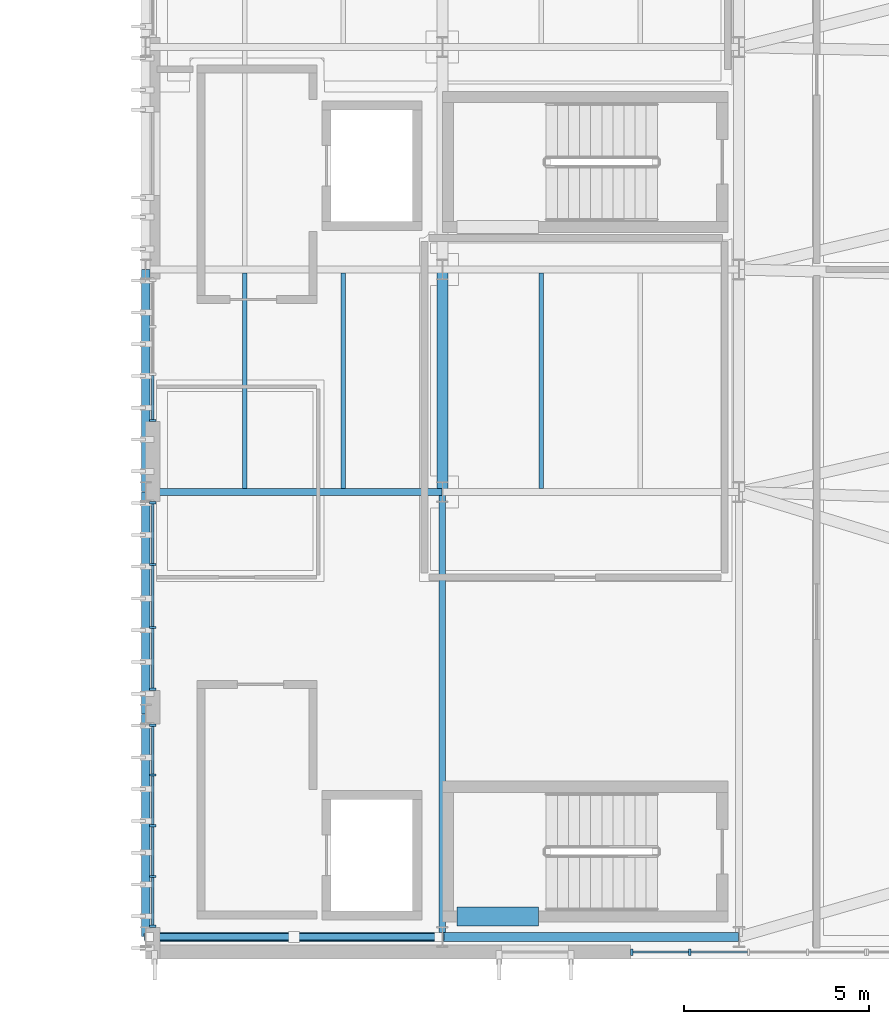
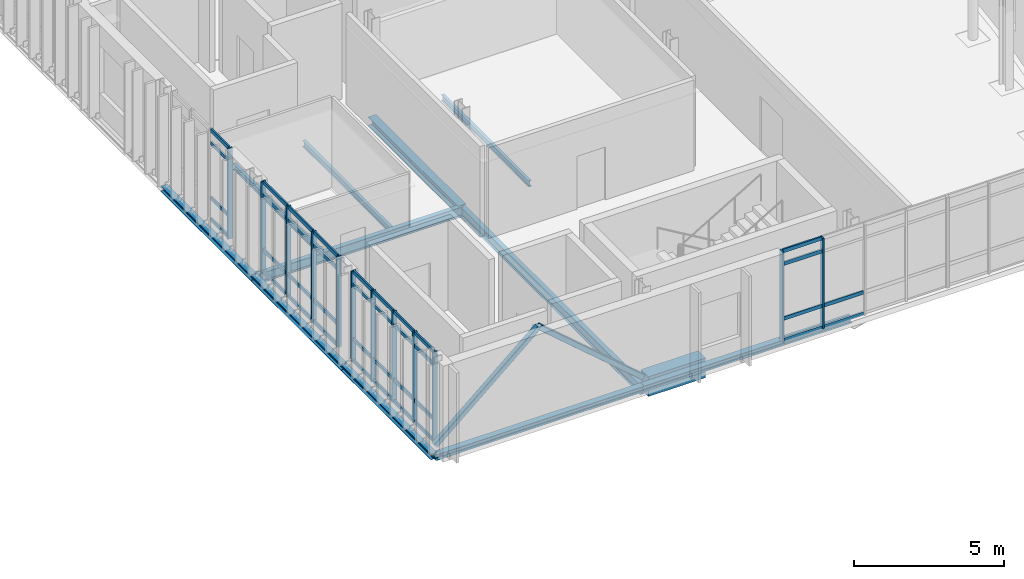
# One storey, part 12 of 43: 52 members, 12 beams, 4 elements without a shape of their own.
"""IFC4 building model written with IfcOpenShell, lengths in metres."""

from ifc_helpers import new_model, si_unit, direction, frame, origin, origin_2d, place, context, subcontext, project, spatial, rectangle, hollow_rectangle, i_section, extrude, material, material_profile, profile_set, type_object, element, aggregate, save


model = new_model("IFC4")

# Units and contexts
model_context = context("Model", 3, precision=1e-05, world=origin(), true_north=direction((0.0, 1.0)))
body_context = subcontext(model_context, "Body", "Model", "MODEL_VIEW")
ifc_project = project(units=[si_unit("LENGTHUNIT", "METRE"), si_unit("AREAUNIT", "SQUARE_METRE"), si_unit("VOLUMEUNIT", "CUBIC_METRE"), si_unit("PLANEANGLEUNIT", "RADIAN"), si_unit("MASSUNIT", "GRAM", prefix="KILO")], contexts=[model_context])

# Site, building, storey
site_placement = place(None, origin())
site = spatial("IfcSite", under=ifc_project, at=site_placement, CompositionType="ELEMENT")
building_placement = place(site_placement, origin())
building = spatial("IfcBuilding", under=site, at=building_placement, Name="Cymarion Research Institute", CompositionType="ELEMENT")
storey_placement = place(building_placement, frame((0.0, 0.0, 22.800048828125)))
storey = spatial("IfcBuildingStorey", under=building, at=storey_placement, Name="L05", CompositionType="ELEMENT", Elevation=22.800048828125)

# Beam
ifc_material_1 = material(Name="Concrete C40/50", Category="concrete")
ifc_material_profile_1 = material_profile(ifc_material_1, rectangle(XDim=0.5, YDim=0.800048828125, at=origin_2d()), Name="RC 500x800")
ifc_profile_set_1 = profile_set([ifc_material_profile_1], Name="Concrete C40/50")
beam_type_1 = type_object("IfcBeamType", Name="COUPLING LINTEL LN03 RC 500x800", PredefinedType="LINTEL", material=ifc_profile_set_1)
beam_1_placement = place(storey_placement, frame((147.0, 6.050048828125, -0.64013671875), z_axis=(1.0, 0.0, 0.0), x_axis=(0.0, 1.0, 0.0)))
element("IfcBeam", 1, at=beam_1_placement, inside=storey, type_object=beam_type_1, Name="L05 C1 core coupling lintel LN03", PredefinedType="LINTEL", context=body_context, shape_type="SweptSolid", body=[
    extrude(rectangle(XDim=0.5, YDim=0.800048828125, at=origin_2d()), origin(), (0.0, 0.0, 1.0), 2.199951171875),
])

# Curtain wall, members
ifc_material_2 = material(Name="Anodised aluminium unitised curtain wall with Low-E glazing", Category="aluminium")
curtain_wall_type_1 = type_object("IfcCurtainWallType", Name="UNITISED CURTAIN WALL CW46 6360X3680", PredefinedType="NOTDEFINED", material=ifc_material_2)
curtain_wall_1_placement = place(storey_placement, origin())
curtain_wall_1 = element("IfcCurtainWall", 2, at=curtain_wall_1_placement, inside=storey, type_object=curtain_wall_type_1, Name="L05 V1 unitised curtain wall CW46 #200", PredefinedType="NOTDEFINED")
ifc_material_3 = material(Name="Anodised aluminium framing", Category="aluminium")
ifc_material_profile_2 = material_profile(ifc_material_3, rectangle(XDim=0.06005859375, YDim=0.179931640625, at=origin_2d()), Name="ALU MULLION 60x180")
ifc_profile_set_2 = profile_set([ifc_material_profile_2], Name="Anodised aluminium framing")
member_type_1 = type_object("IfcMemberType", Name="CURTAIN WALL MULLION ML01 60X180", PredefinedType="MULLION", material=ifc_profile_set_2)
member_1_placement = place(storey_placement, frame((151.7109375, 5.090087890625, 0.0), z_axis=(0.0, 0.0, 1.0), x_axis=(1.0, 0.0, 0.0)))
member_1 = element("IfcMember", 3, at=member_1_placement, type_object=member_type_1, Name="CW46 mullion 1", PredefinedType="MULLION", context=body_context, shape_type="SweptSolid", body=[
    extrude(rectangle(XDim=0.06005859375, YDim=0.179931640625, at=origin_2d()), origin(), (0.0, 0.0, 1.0), 3.679931640625),
])
member_2_placement = place(storey_placement, frame((153.27099609375, 5.090087890625, 0.0), z_axis=(0.0, 0.0, 1.0), x_axis=(1.0, 0.0, 0.0)))
member_2 = element("IfcMember", 4, at=member_2_placement, type_object=member_type_1, Name="CW46 mullion 2", PredefinedType="MULLION", context=body_context, shape_type="SweptSolid", body=[
    extrude(rectangle(XDim=0.06005859375, YDim=0.179931640625, at=origin_2d()), origin(), (0.0, 0.0, 1.0), 3.679931640625),
])

# Curtain wall, member
curtain_wall_type_2 = type_object("IfcCurtainWallType", Name="UNITISED CURTAIN WALL CW52 3850X3680", PredefinedType="NOTDEFINED", material=ifc_material_2)
curtain_wall_2_placement = place(storey_placement, origin())
curtain_wall_2 = element("IfcCurtainWall", 5, at=curtain_wall_2_placement, inside=storey, type_object=curtain_wall_type_2, Name="L05 V1 unitised curtain wall CW52 #207", PredefinedType="NOTDEFINED")
member_3_placement = place(storey_placement, frame((138.7900390625, 19.42529296875, 0.0), z_axis=(0.0, 0.0, 1.0), x_axis=(0.0, -1.0, 0.0)))
member_3 = element("IfcMember", 6, at=member_3_placement, type_object=member_type_1, Name="CW52 mullion 4", PredefinedType="MULLION", context=body_context, shape_type="SweptSolid", body=[
    extrude(rectangle(XDim=0.06005859375, YDim=0.179931640625, at=origin_2d()), origin(), (0.0, 0.0, 1.0), 3.679931640625),
])

# Curtain wall, members
curtain_wall_type_3 = type_object("IfcCurtainWallType", Name="UNITISED CURTAIN WALL CW53 5090X3680", PredefinedType="NOTDEFINED", material=ifc_material_2)
curtain_wall_3_placement = place(storey_placement, origin())
curtain_wall_3 = element("IfcCurtainWall", 7, at=curtain_wall_3_placement, inside=storey, type_object=curtain_wall_type_3, Name="L05 V1 unitised curtain wall CW53 #208", PredefinedType="NOTDEFINED")
member_4_placement = place(storey_placement, frame((138.7900390625, 17.2099609375, 0.0), z_axis=(0.0, 0.0, 1.0), x_axis=(0.0, -1.0, 0.0)))
member_4 = element("IfcMember", 8, at=member_4_placement, type_object=member_type_1, Name="CW53 mullion 1", PredefinedType="MULLION", context=body_context, shape_type="SweptSolid", body=[
    extrude(rectangle(XDim=0.06005859375, YDim=0.179931640625, at=origin_2d()), origin(), (0.0, 0.0, 1.0), 3.679931640625),
])
member_5_placement = place(storey_placement, frame((138.7900390625, 15.54248046875, 0.0), z_axis=(0.0, 0.0, 1.0), x_axis=(0.0, -1.0, 0.0)))
member_5 = element("IfcMember", 9, at=member_5_placement, type_object=member_type_1, Name="CW53 mullion 2", PredefinedType="MULLION", context=body_context, shape_type="SweptSolid", body=[
    extrude(rectangle(XDim=0.06005859375, YDim=0.179931640625, at=origin_2d()), origin(), (0.0, 0.0, 1.0), 3.679931640625),
])
member_6_placement = place(storey_placement, frame((138.7900390625, 13.844970703125, 0.0), z_axis=(0.0, 0.0, 1.0), x_axis=(0.0, -1.0, 0.0)))
member_6 = element("IfcMember", 10, at=member_6_placement, type_object=member_type_1, Name="CW53 mullion 3", PredefinedType="MULLION", context=body_context, shape_type="SweptSolid", body=[
    extrude(rectangle(XDim=0.06005859375, YDim=0.179931640625, at=origin_2d()), origin(), (0.0, 0.0, 1.0), 3.679931640625),
])
member_7_placement = place(storey_placement, frame((138.7900390625, 12.177490234375, 0.0), z_axis=(0.0, 0.0, 1.0), x_axis=(0.0, -1.0, 0.0)))
member_7 = element("IfcMember", 11, at=member_7_placement, type_object=member_type_1, Name="CW53 mullion 4", PredefinedType="MULLION", context=body_context, shape_type="SweptSolid", body=[
    extrude(rectangle(XDim=0.06005859375, YDim=0.179931640625, at=origin_2d()), origin(), (0.0, 0.0, 1.0), 3.679931640625),
])

curtain_wall_type_4 = type_object("IfcCurtainWallType", Name="UNITISED CURTAIN WALL CW54 5480X3680", PredefinedType="NOTDEFINED", material=ifc_material_2)
curtain_wall_4_placement = place(storey_placement, origin())
curtain_wall_4 = element("IfcCurtainWall", 12, at=curtain_wall_4_placement, inside=storey, type_object=curtain_wall_type_4, Name="L05 V1 unitised curtain wall CW54 #209", PredefinedType="NOTDEFINED")
member_8_placement = place(storey_placement, frame((138.7900390625, 11.2099609375, 0.0), z_axis=(0.0, 0.0, 1.0), x_axis=(0.0, -1.0, 0.0)))
member_8 = element("IfcMember", 13, at=member_8_placement, type_object=member_type_1, Name="CW54 mullion 1", PredefinedType="MULLION", context=body_context, shape_type="SweptSolid", body=[
    extrude(rectangle(XDim=0.06005859375, YDim=0.179931640625, at=origin_2d()), origin(), (0.0, 0.0, 1.0), 3.679931640625),
])
member_9_placement = place(storey_placement, frame((138.7900390625, 9.8701171875, 0.0), z_axis=(0.0, 0.0, 1.0), x_axis=(0.0, -1.0, 0.0)))
member_9 = element("IfcMember", 14, at=member_9_placement, type_object=member_type_1, Name="CW54 mullion 2", PredefinedType="MULLION", context=body_context, shape_type="SweptSolid", body=[
    extrude(rectangle(XDim=0.06005859375, YDim=0.179931640625, at=origin_2d()), origin(), (0.0, 0.0, 1.0), 3.679931640625),
])
member_10_placement = place(storey_placement, frame((138.7900390625, 8.5, 0.0), z_axis=(0.0, 0.0, 1.0), x_axis=(0.0, -1.0, 0.0)))
member_10 = element("IfcMember", 15, at=member_10_placement, type_object=member_type_1, Name="CW54 mullion 3", PredefinedType="MULLION", context=body_context, shape_type="SweptSolid", body=[
    extrude(rectangle(XDim=0.06005859375, YDim=0.179931640625, at=origin_2d()), origin(), (0.0, 0.0, 1.0), 3.679931640625),
])
member_11_placement = place(storey_placement, frame((138.7900390625, 7.1298828125, 0.0), z_axis=(0.0, 0.0, 1.0), x_axis=(0.0, -1.0, 0.0)))
member_11 = element("IfcMember", 16, at=member_11_placement, type_object=member_type_1, Name="CW54 mullion 4", PredefinedType="MULLION", context=body_context, shape_type="SweptSolid", body=[
    extrude(rectangle(XDim=0.06005859375, YDim=0.179931640625, at=origin_2d()), origin(), (0.0, 0.0, 1.0), 3.679931640625),
])
member_12_placement = place(storey_placement, frame((138.7900390625, 5.7900390625, 0.0), z_axis=(0.0, 0.0, 1.0), x_axis=(0.0, -1.0, 0.0)))
member_12 = element("IfcMember", 17, at=member_12_placement, type_object=member_type_1, Name="CW54 mullion 5", PredefinedType="MULLION", context=body_context, shape_type="SweptSolid", body=[
    extrude(rectangle(XDim=0.06005859375, YDim=0.179931640625, at=origin_2d()), origin(), (0.0, 0.0, 1.0), 3.679931640625),
])

# Member
ifc_material_profile_3 = material_profile(ifc_material_3, rectangle(XDim=0.06005859375, YDim=0.14990234375, at=origin_2d()), Name="ALU TRANSOM 60x150")
ifc_profile_set_3 = profile_set([ifc_material_profile_3], Name="Anodised aluminium framing")
member_type_2 = type_object("IfcMemberType", Name="CURTAIN WALL TRANSOM TR01 60X150", PredefinedType="USERDEFINED", material=ifc_profile_set_3)
member_13_placement = place(storey_placement, frame((151.740966796875, 5.090087890625, 0.030029296875), z_axis=(1.0, 0.0, 0.0), x_axis=(0.0, 1.0, 0.0)))
member_13 = element("IfcMember", 18, at=member_13_placement, type_object=member_type_2, Name="CW46 transom 1.1", ObjectType="TRANSOM", PredefinedType="USERDEFINED", context=body_context, shape_type="SweptSolid", body=[
    extrude(rectangle(XDim=0.06005859375, YDim=0.14990234375, at=origin_2d()), origin(), (0.0, 0.0, 1.0), 1.5),
])

member_14_placement = place(storey_placement, frame((151.740966796875, 5.090087890625, 0.89990234375), z_axis=(1.0, 0.0, 0.0), x_axis=(0.0, 1.0, 0.0)))
member_14 = element("IfcMember", 19, at=member_14_placement, type_object=member_type_2, Name="CW46 transom 1.2", ObjectType="TRANSOM", PredefinedType="USERDEFINED", context=body_context, shape_type="SweptSolid", body=[
    extrude(rectangle(XDim=0.06005859375, YDim=0.14990234375, at=origin_2d()), origin(), (0.0, 0.0, 1.0), 1.5),
])

member_15_placement = place(storey_placement, frame((151.740966796875, 5.090087890625, 3.1298828125), z_axis=(1.0, 0.0, 0.0), x_axis=(0.0, 1.0, 0.0)))
member_15 = element("IfcMember", 20, at=member_15_placement, type_object=member_type_2, Name="CW46 transom 1.3", ObjectType="TRANSOM", PredefinedType="USERDEFINED", context=body_context, shape_type="SweptSolid", body=[
    extrude(rectangle(XDim=0.06005859375, YDim=0.14990234375, at=origin_2d()), origin(), (0.0, 0.0, 1.0), 1.5),
])

member_16_placement = place(storey_placement, frame((151.740966796875, 5.090087890625, 3.64990234375), z_axis=(1.0, 0.0, 0.0), x_axis=(0.0, 1.0, 0.0)))
member_16 = element("IfcMember", 21, at=member_16_placement, type_object=member_type_2, Name="CW46 transom 1.4", ObjectType="TRANSOM", PredefinedType="USERDEFINED", context=body_context, shape_type="SweptSolid", body=[
    extrude(rectangle(XDim=0.06005859375, YDim=0.14990234375, at=origin_2d()), origin(), (0.0, 0.0, 1.0), 1.5),
])

member_17_placement = place(storey_placement, frame((153.30078125, 5.090087890625, 0.030029296875), z_axis=(1.0, 0.0, 0.0), x_axis=(0.0, 1.0, 0.0)))
member_17 = element("IfcMember", 22, at=member_17_placement, type_object=member_type_2, Name="CW46 transom 2.1", ObjectType="TRANSOM", PredefinedType="USERDEFINED", context=body_context, shape_type="SweptSolid", body=[
    extrude(rectangle(XDim=0.06005859375, YDim=0.14990234375, at=origin_2d()), origin(), (0.0, 0.0, 1.0), 1.530029296875),
])

member_18_placement = place(storey_placement, frame((153.30078125, 5.090087890625, 0.89990234375), z_axis=(1.0, 0.0, 0.0), x_axis=(0.0, 1.0, 0.0)))
member_18 = element("IfcMember", 23, at=member_18_placement, type_object=member_type_2, Name="CW46 transom 2.2", ObjectType="TRANSOM", PredefinedType="USERDEFINED", context=body_context, shape_type="SweptSolid", body=[
    extrude(rectangle(XDim=0.06005859375, YDim=0.14990234375, at=origin_2d()), origin(), (0.0, 0.0, 1.0), 1.530029296875),
])

aggregate(curtain_wall_1, [member_1, member_2, member_13, member_14, member_15, member_16, member_17, member_18])

member_19_placement = place(storey_placement, frame((138.7900390625, 20.646728515625, 0.030029296875), z_axis=(0.0, -1.0, 0.0), x_axis=(1.0, 0.0, 0.0)))
member_19 = element("IfcMember", 24, at=member_19_placement, type_object=member_type_2, Name="CW52 transom 3.1", ObjectType="TRANSOM", PredefinedType="USERDEFINED", context=body_context, shape_type="SweptSolid", body=[
    extrude(rectangle(XDim=0.06005859375, YDim=0.14990234375, at=origin_2d()), origin(), (0.0, 0.0, 1.0), 1.191650390625),
])

member_20_placement = place(storey_placement, frame((138.7900390625, 20.646728515625, 0.89990234375), z_axis=(0.0, -1.0, 0.0), x_axis=(1.0, 0.0, 0.0)))
member_20 = element("IfcMember", 25, at=member_20_placement, type_object=member_type_2, Name="CW52 transom 3.2", ObjectType="TRANSOM", PredefinedType="USERDEFINED", context=body_context, shape_type="SweptSolid", body=[
    extrude(rectangle(XDim=0.06005859375, YDim=0.14990234375, at=origin_2d()), origin(), (0.0, 0.0, 1.0), 1.191650390625),
])

member_21_placement = place(storey_placement, frame((138.7900390625, 20.646728515625, 3.1298828125), z_axis=(0.0, -1.0, 0.0), x_axis=(1.0, 0.0, 0.0)))
member_21 = element("IfcMember", 26, at=member_21_placement, type_object=member_type_2, Name="CW52 transom 3.3", ObjectType="TRANSOM", PredefinedType="USERDEFINED", context=body_context, shape_type="SweptSolid", body=[
    extrude(rectangle(XDim=0.06005859375, YDim=0.14990234375, at=origin_2d()), origin(), (0.0, 0.0, 1.0), 1.191650390625),
])

member_22_placement = place(storey_placement, frame((138.7900390625, 20.646728515625, 3.64990234375), z_axis=(0.0, -1.0, 0.0), x_axis=(1.0, 0.0, 0.0)))
member_22 = element("IfcMember", 27, at=member_22_placement, type_object=member_type_2, Name="CW52 transom 3.4", ObjectType="TRANSOM", PredefinedType="USERDEFINED", context=body_context, shape_type="SweptSolid", body=[
    extrude(rectangle(XDim=0.06005859375, YDim=0.14990234375, at=origin_2d()), origin(), (0.0, 0.0, 1.0), 1.191650390625),
])

aggregate(curtain_wall_2, [member_3, member_19, member_20, member_21, member_22])

member_23_placement = place(storey_placement, frame((138.7900390625, 17.179931640625, 0.030029296875), z_axis=(0.0, -1.0, 0.0), x_axis=(1.0, 0.0, 0.0)))
member_23 = element("IfcMember", 28, at=member_23_placement, type_object=member_type_2, Name="CW53 transom 1.1", ObjectType="TRANSOM", PredefinedType="USERDEFINED", context=body_context, shape_type="SweptSolid", body=[
    extrude(rectangle(XDim=0.06005859375, YDim=0.14990234375, at=origin_2d()), origin(), (0.0, 0.0, 1.0), 1.607421875),
])

member_24_placement = place(storey_placement, frame((138.7900390625, 17.179931640625, 0.89990234375), z_axis=(0.0, -1.0, 0.0), x_axis=(1.0, 0.0, 0.0)))
member_24 = element("IfcMember", 29, at=member_24_placement, type_object=member_type_2, Name="CW53 transom 1.2", ObjectType="TRANSOM", PredefinedType="USERDEFINED", context=body_context, shape_type="SweptSolid", body=[
    extrude(rectangle(XDim=0.06005859375, YDim=0.14990234375, at=origin_2d()), origin(), (0.0, 0.0, 1.0), 1.607421875),
])

member_25_placement = place(storey_placement, frame((138.7900390625, 17.179931640625, 3.1298828125), z_axis=(0.0, -1.0, 0.0), x_axis=(1.0, 0.0, 0.0)))
member_25 = element("IfcMember", 30, at=member_25_placement, type_object=member_type_2, Name="CW53 transom 1.3", ObjectType="TRANSOM", PredefinedType="USERDEFINED", context=body_context, shape_type="SweptSolid", body=[
    extrude(rectangle(XDim=0.06005859375, YDim=0.14990234375, at=origin_2d()), origin(), (0.0, 0.0, 1.0), 1.607421875),
])

member_26_placement = place(storey_placement, frame((138.7900390625, 17.179931640625, 3.64990234375), z_axis=(0.0, -1.0, 0.0), x_axis=(1.0, 0.0, 0.0)))
member_26 = element("IfcMember", 31, at=member_26_placement, type_object=member_type_2, Name="CW53 transom 1.4", ObjectType="TRANSOM", PredefinedType="USERDEFINED", context=body_context, shape_type="SweptSolid", body=[
    extrude(rectangle(XDim=0.06005859375, YDim=0.14990234375, at=origin_2d()), origin(), (0.0, 0.0, 1.0), 1.607421875),
])

member_27_placement = place(storey_placement, frame((138.7900390625, 15.512451171875, 0.030029296875), z_axis=(0.0, -1.0, 0.0), x_axis=(1.0, 0.0, 0.0)))
member_27 = element("IfcMember", 32, at=member_27_placement, type_object=member_type_2, Name="CW53 transom 2.1", ObjectType="TRANSOM", PredefinedType="USERDEFINED", context=body_context, shape_type="SweptSolid", body=[
    extrude(rectangle(XDim=0.06005859375, YDim=0.14990234375, at=origin_2d()), origin(), (0.0, 0.0, 1.0), 1.637451171875),
])

member_28_placement = place(storey_placement, frame((138.7900390625, 15.512451171875, 0.89990234375), z_axis=(0.0, -1.0, 0.0), x_axis=(1.0, 0.0, 0.0)))
member_28 = element("IfcMember", 33, at=member_28_placement, type_object=member_type_2, Name="CW53 transom 2.2", ObjectType="TRANSOM", PredefinedType="USERDEFINED", context=body_context, shape_type="SweptSolid", body=[
    extrude(rectangle(XDim=0.06005859375, YDim=0.14990234375, at=origin_2d()), origin(), (0.0, 0.0, 1.0), 1.637451171875),
])

member_29_placement = place(storey_placement, frame((138.7900390625, 15.512451171875, 3.1298828125), z_axis=(0.0, -1.0, 0.0), x_axis=(1.0, 0.0, 0.0)))
member_29 = element("IfcMember", 34, at=member_29_placement, type_object=member_type_2, Name="CW53 transom 2.3", ObjectType="TRANSOM", PredefinedType="USERDEFINED", context=body_context, shape_type="SweptSolid", body=[
    extrude(rectangle(XDim=0.06005859375, YDim=0.14990234375, at=origin_2d()), origin(), (0.0, 0.0, 1.0), 1.637451171875),
])

member_30_placement = place(storey_placement, frame((138.7900390625, 15.512451171875, 3.64990234375), z_axis=(0.0, -1.0, 0.0), x_axis=(1.0, 0.0, 0.0)))
member_30 = element("IfcMember", 35, at=member_30_placement, type_object=member_type_2, Name="CW53 transom 2.4", ObjectType="TRANSOM", PredefinedType="USERDEFINED", context=body_context, shape_type="SweptSolid", body=[
    extrude(rectangle(XDim=0.06005859375, YDim=0.14990234375, at=origin_2d()), origin(), (0.0, 0.0, 1.0), 1.637451171875),
])

member_31_placement = place(storey_placement, frame((138.7900390625, 13.815185546875, 0.030029296875), z_axis=(0.0, -1.0, 0.0), x_axis=(1.0, 0.0, 0.0)))
member_31 = element("IfcMember", 36, at=member_31_placement, type_object=member_type_2, Name="CW53 transom 3.1", ObjectType="TRANSOM", PredefinedType="USERDEFINED", context=body_context, shape_type="SweptSolid", body=[
    extrude(rectangle(XDim=0.06005859375, YDim=0.14990234375, at=origin_2d()), origin(), (0.0, 0.0, 1.0), 1.607666015625),
])

member_32_placement = place(storey_placement, frame((138.7900390625, 13.815185546875, 0.89990234375), z_axis=(0.0, -1.0, 0.0), x_axis=(1.0, 0.0, 0.0)))
member_32 = element("IfcMember", 37, at=member_32_placement, type_object=member_type_2, Name="CW53 transom 3.2", ObjectType="TRANSOM", PredefinedType="USERDEFINED", context=body_context, shape_type="SweptSolid", body=[
    extrude(rectangle(XDim=0.06005859375, YDim=0.14990234375, at=origin_2d()), origin(), (0.0, 0.0, 1.0), 1.607666015625),
])

member_33_placement = place(storey_placement, frame((138.7900390625, 13.815185546875, 3.1298828125), z_axis=(0.0, -1.0, 0.0), x_axis=(1.0, 0.0, 0.0)))
member_33 = element("IfcMember", 38, at=member_33_placement, type_object=member_type_2, Name="CW53 transom 3.3", ObjectType="TRANSOM", PredefinedType="USERDEFINED", context=body_context, shape_type="SweptSolid", body=[
    extrude(rectangle(XDim=0.06005859375, YDim=0.14990234375, at=origin_2d()), origin(), (0.0, 0.0, 1.0), 1.607666015625),
])

member_34_placement = place(storey_placement, frame((138.7900390625, 13.815185546875, 3.64990234375), z_axis=(0.0, -1.0, 0.0), x_axis=(1.0, 0.0, 0.0)))
member_34 = element("IfcMember", 39, at=member_34_placement, type_object=member_type_2, Name="CW53 transom 3.4", ObjectType="TRANSOM", PredefinedType="USERDEFINED", context=body_context, shape_type="SweptSolid", body=[
    extrude(rectangle(XDim=0.06005859375, YDim=0.14990234375, at=origin_2d()), origin(), (0.0, 0.0, 1.0), 1.607666015625),
])

aggregate(curtain_wall_3, [member_4, member_5, member_6, member_7, member_23, member_24, member_25, member_26, member_27, member_28, member_29, member_30, member_31, member_32, member_33, member_34])

member_35_placement = place(storey_placement, frame((138.7900390625, 11.179931640625, 0.030029296875), z_axis=(0.0, -1.0, 0.0), x_axis=(1.0, 0.0, 0.0)))
member_35 = element("IfcMember", 40, at=member_35_placement, type_object=member_type_2, Name="CW54 transom 1.1", ObjectType="TRANSOM", PredefinedType="USERDEFINED", context=body_context, shape_type="SweptSolid", body=[
    extrude(rectangle(XDim=0.06005859375, YDim=0.14990234375, at=origin_2d()), origin(), (0.0, 0.0, 1.0), 1.280029296875),
])

member_36_placement = place(storey_placement, frame((138.7900390625, 11.179931640625, 0.89990234375), z_axis=(0.0, -1.0, 0.0), x_axis=(1.0, 0.0, 0.0)))
member_36 = element("IfcMember", 41, at=member_36_placement, type_object=member_type_2, Name="CW54 transom 1.2", ObjectType="TRANSOM", PredefinedType="USERDEFINED", context=body_context, shape_type="SweptSolid", body=[
    extrude(rectangle(XDim=0.06005859375, YDim=0.14990234375, at=origin_2d()), origin(), (0.0, 0.0, 1.0), 1.280029296875),
])

member_37_placement = place(storey_placement, frame((138.7900390625, 11.179931640625, 3.1298828125), z_axis=(0.0, -1.0, 0.0), x_axis=(1.0, 0.0, 0.0)))
member_37 = element("IfcMember", 42, at=member_37_placement, type_object=member_type_2, Name="CW54 transom 1.3", ObjectType="TRANSOM", PredefinedType="USERDEFINED", context=body_context, shape_type="SweptSolid", body=[
    extrude(rectangle(XDim=0.06005859375, YDim=0.14990234375, at=origin_2d()), origin(), (0.0, 0.0, 1.0), 1.280029296875),
])

member_38_placement = place(storey_placement, frame((138.7900390625, 11.179931640625, 3.64990234375), z_axis=(0.0, -1.0, 0.0), x_axis=(1.0, 0.0, 0.0)))
member_38 = element("IfcMember", 43, at=member_38_placement, type_object=member_type_2, Name="CW54 transom 1.4", ObjectType="TRANSOM", PredefinedType="USERDEFINED", context=body_context, shape_type="SweptSolid", body=[
    extrude(rectangle(XDim=0.06005859375, YDim=0.14990234375, at=origin_2d()), origin(), (0.0, 0.0, 1.0), 1.280029296875),
])

member_39_placement = place(storey_placement, frame((138.7900390625, 9.840087890625, 0.030029296875), z_axis=(0.0, -1.0, 0.0), x_axis=(1.0, 0.0, 0.0)))
member_39 = element("IfcMember", 44, at=member_39_placement, type_object=member_type_2, Name="CW54 transom 2.1", ObjectType="TRANSOM", PredefinedType="USERDEFINED", context=body_context, shape_type="SweptSolid", body=[
    extrude(rectangle(XDim=0.06005859375, YDim=0.14990234375, at=origin_2d()), origin(), (0.0, 0.0, 1.0), 1.31005859375),
])

member_40_placement = place(storey_placement, frame((138.7900390625, 9.840087890625, 0.89990234375), z_axis=(0.0, -1.0, 0.0), x_axis=(1.0, 0.0, 0.0)))
member_40 = element("IfcMember", 45, at=member_40_placement, type_object=member_type_2, Name="CW54 transom 2.2", ObjectType="TRANSOM", PredefinedType="USERDEFINED", context=body_context, shape_type="SweptSolid", body=[
    extrude(rectangle(XDim=0.06005859375, YDim=0.14990234375, at=origin_2d()), origin(), (0.0, 0.0, 1.0), 1.31005859375),
])

member_41_placement = place(storey_placement, frame((138.7900390625, 9.840087890625, 3.1298828125), z_axis=(0.0, -1.0, 0.0), x_axis=(1.0, 0.0, 0.0)))
member_41 = element("IfcMember", 46, at=member_41_placement, type_object=member_type_2, Name="CW54 transom 2.3", ObjectType="TRANSOM", PredefinedType="USERDEFINED", context=body_context, shape_type="SweptSolid", body=[
    extrude(rectangle(XDim=0.06005859375, YDim=0.14990234375, at=origin_2d()), origin(), (0.0, 0.0, 1.0), 1.31005859375),
])

member_42_placement = place(storey_placement, frame((138.7900390625, 9.840087890625, 3.64990234375), z_axis=(0.0, -1.0, 0.0), x_axis=(1.0, 0.0, 0.0)))
member_42 = element("IfcMember", 47, at=member_42_placement, type_object=member_type_2, Name="CW54 transom 2.4", ObjectType="TRANSOM", PredefinedType="USERDEFINED", context=body_context, shape_type="SweptSolid", body=[
    extrude(rectangle(XDim=0.06005859375, YDim=0.14990234375, at=origin_2d()), origin(), (0.0, 0.0, 1.0), 1.31005859375),
])

member_43_placement = place(storey_placement, frame((138.7900390625, 8.469970703125, 0.030029296875), z_axis=(0.0, -1.0, 0.0), x_axis=(1.0, 0.0, 0.0)))
member_43 = element("IfcMember", 48, at=member_43_placement, type_object=member_type_2, Name="CW54 transom 3.1", ObjectType="TRANSOM", PredefinedType="USERDEFINED", context=body_context, shape_type="SweptSolid", body=[
    extrude(rectangle(XDim=0.06005859375, YDim=0.14990234375, at=origin_2d()), origin(), (0.0, 0.0, 1.0), 1.31005859375),
])

member_44_placement = place(storey_placement, frame((138.7900390625, 8.469970703125, 0.89990234375), z_axis=(0.0, -1.0, 0.0), x_axis=(1.0, 0.0, 0.0)))
member_44 = element("IfcMember", 49, at=member_44_placement, type_object=member_type_2, Name="CW54 transom 3.2", ObjectType="TRANSOM", PredefinedType="USERDEFINED", context=body_context, shape_type="SweptSolid", body=[
    extrude(rectangle(XDim=0.06005859375, YDim=0.14990234375, at=origin_2d()), origin(), (0.0, 0.0, 1.0), 1.31005859375),
])

member_45_placement = place(storey_placement, frame((138.7900390625, 8.469970703125, 3.1298828125), z_axis=(0.0, -1.0, 0.0), x_axis=(1.0, 0.0, 0.0)))
member_45 = element("IfcMember", 50, at=member_45_placement, type_object=member_type_2, Name="CW54 transom 3.3", ObjectType="TRANSOM", PredefinedType="USERDEFINED", context=body_context, shape_type="SweptSolid", body=[
    extrude(rectangle(XDim=0.06005859375, YDim=0.14990234375, at=origin_2d()), origin(), (0.0, 0.0, 1.0), 1.31005859375),
])

member_46_placement = place(storey_placement, frame((138.7900390625, 8.469970703125, 3.64990234375), z_axis=(0.0, -1.0, 0.0), x_axis=(1.0, 0.0, 0.0)))
member_46 = element("IfcMember", 51, at=member_46_placement, type_object=member_type_2, Name="CW54 transom 3.4", ObjectType="TRANSOM", PredefinedType="USERDEFINED", context=body_context, shape_type="SweptSolid", body=[
    extrude(rectangle(XDim=0.06005859375, YDim=0.14990234375, at=origin_2d()), origin(), (0.0, 0.0, 1.0), 1.31005859375),
])

member_47_placement = place(storey_placement, frame((138.7900390625, 7.10009765625, 0.030029296875), z_axis=(0.0, -1.0, 0.0), x_axis=(1.0, 0.0, 0.0)))
member_47 = element("IfcMember", 52, at=member_47_placement, type_object=member_type_2, Name="CW54 transom 4.1", ObjectType="TRANSOM", PredefinedType="USERDEFINED", context=body_context, shape_type="SweptSolid", body=[
    extrude(rectangle(XDim=0.06005859375, YDim=0.14990234375, at=origin_2d()), origin(), (0.0, 0.0, 1.0), 1.280029296875),
])

member_48_placement = place(storey_placement, frame((138.7900390625, 7.10009765625, 0.89990234375), z_axis=(0.0, -1.0, 0.0), x_axis=(1.0, 0.0, 0.0)))
member_48 = element("IfcMember", 53, at=member_48_placement, type_object=member_type_2, Name="CW54 transom 4.2", ObjectType="TRANSOM", PredefinedType="USERDEFINED", context=body_context, shape_type="SweptSolid", body=[
    extrude(rectangle(XDim=0.06005859375, YDim=0.14990234375, at=origin_2d()), origin(), (0.0, 0.0, 1.0), 1.280029296875),
])

member_49_placement = place(storey_placement, frame((138.7900390625, 7.10009765625, 3.1298828125), z_axis=(0.0, -1.0, 0.0), x_axis=(1.0, 0.0, 0.0)))
member_49 = element("IfcMember", 54, at=member_49_placement, type_object=member_type_2, Name="CW54 transom 4.3", ObjectType="TRANSOM", PredefinedType="USERDEFINED", context=body_context, shape_type="SweptSolid", body=[
    extrude(rectangle(XDim=0.06005859375, YDim=0.14990234375, at=origin_2d()), origin(), (0.0, 0.0, 1.0), 1.280029296875),
])

member_50_placement = place(storey_placement, frame((138.7900390625, 7.10009765625, 3.64990234375), z_axis=(0.0, -1.0, 0.0), x_axis=(1.0, 0.0, 0.0)))
member_50 = element("IfcMember", 55, at=member_50_placement, type_object=member_type_2, Name="CW54 transom 4.4", ObjectType="TRANSOM", PredefinedType="USERDEFINED", context=body_context, shape_type="SweptSolid", body=[
    extrude(rectangle(XDim=0.06005859375, YDim=0.14990234375, at=origin_2d()), origin(), (0.0, 0.0, 1.0), 1.280029296875),
])

aggregate(curtain_wall_4, [member_8, member_9, member_10, member_11, member_12, member_35, member_36, member_37, member_38, member_39, member_40, member_41, member_42, member_43, member_44, member_45, member_46, member_47, member_48, member_49, member_50])

# Beams
ifc_material_4 = material(Name="Steel S355", Category="steel")
ifc_material_profile_4 = material_profile(ifc_material_4, i_section(OverallWidth=0.179931640625, OverallDepth=0.39990234375, WebThickness=0.008544921875, FlangeThickness=0.013427734375, FilletRadius=0.02099609375, at=origin_2d()), Name="IPE 400")
ifc_profile_set_4 = profile_set([ifc_material_profile_4], Name="Steel S355")
beam_type_2 = type_object("IfcBeamType", Name="PRIMARY GIRDER BM05 IPE 400", PredefinedType="BEAM", material=ifc_profile_set_4)
beam_2_placement = place(storey_placement, frame((138.60595703125, 17.5, -0.420166015625), z_axis=(1.0, 0.0, 0.0), x_axis=(0.0, 1.0, 0.0)))
element("IfcBeam", 56, at=beam_2_placement, inside=storey, type_object=beam_type_2, Name="L05 V1 girder BM05 #1845", PredefinedType="BEAM", context=body_context, shape_type="SweptSolid", body=[
    extrude(i_section(OverallWidth=0.179931640625, OverallDepth=0.39990234375, WebThickness=0.008544921875, FlangeThickness=0.013427734375, FilletRadius=0.02099609375, at=origin_2d()), origin(), (0.0, 0.0, 1.0), 7.988037109375),
])
beam_3_placement = place(storey_placement, frame((146.60009765625, 5.506103515625, -0.420166015625), z_axis=(0.0, 1.0, 0.0), x_axis=(-1.0, 0.0, 0.0)))
element("IfcBeam", 57, at=beam_3_placement, inside=storey, type_object=beam_type_2, Name="L05 V1 girder BM05 #1861", PredefinedType="BEAM", context=body_context, shape_type="SweptSolid", body=[
    extrude(i_section(OverallWidth=0.179931640625, OverallDepth=0.39990234375, WebThickness=0.008544921875, FlangeThickness=0.013427734375, FilletRadius=0.02099609375, at=origin_2d()), origin(), (0.0, 0.0, 1.0), 11.98779296875),
])
ifc_material_profile_5 = material_profile(ifc_material_4, i_section(OverallWidth=0.300048828125, OverallDepth=0.35009765625, WebThickness=0.010009765625, FlangeThickness=0.017578125, FilletRadius=0.027099609375, at=origin_2d()), Name="HEA 360")
ifc_profile_set_5 = profile_set([ifc_material_profile_5], Name="Steel S355")
beam_type_3 = type_object("IfcBeamType", Name="PRIMARY GIRDER BM12 HEA 360", PredefinedType="BEAM", material=ifc_profile_set_5)
beam_4_placement = place(storey_placement, frame((146.60009765625, 17.506103515625, -0.39501953125), z_axis=(0.0, 1.0, 0.0), x_axis=(-1.0, 0.0, 0.0)))
element("IfcBeam", 58, at=beam_4_placement, inside=storey, type_object=beam_type_3, Name="L05 V1 girder BM12 #1862", PredefinedType="BEAM", context=body_context, shape_type="SweptSolid", body=[
    extrude(i_section(OverallWidth=0.300048828125, OverallDepth=0.35009765625, WebThickness=0.010009765625, FlangeThickness=0.017578125, FilletRadius=0.027099609375, at=origin_2d()), origin(), (0.0, 0.0, 1.0), 5.98779296875),
])
ifc_material_profile_6 = material_profile(ifc_material_4, i_section(OverallWidth=0.1201171875, OverallDepth=0.239990234375, WebThickness=0.006103515625, FlangeThickness=0.009765625, FilletRadius=0.014892578125, at=origin_2d()), Name="IPE 240")
ifc_profile_set_6 = profile_set([ifc_material_profile_6], Name="Steel S355")
beam_type_4 = type_object("IfcBeamType", Name="SECONDARY JOIST JS04 IPE 240", PredefinedType="JOIST", material=ifc_profile_set_6)
for number, where, z_axis, x_axis, name in (
    (59, (141.2666015625, 17.593994140625, -0.340087890625), (0.0, 1.0, 0.0), (-1.0, 0.0, 0.0), "L05 V1 secondary joist JS04 #1888"),
    (60, (143.933349609375, 17.593994140625, -0.340087890625), (0.0, 1.0, 0.0), (-1.0, 0.0, 0.0), "L05 V1 secondary joist JS04 #1889"),
    (61, (149.2666015625, 17.593994140625, -0.340087890625), (0.0, 1.0, 0.0), (-1.0, 0.0, 0.0), "L05 V1 secondary joist JS04 #1890"),
):
    element("IfcBeam", number, at=place(storey_placement, frame(where, z_axis=z_axis, x_axis=x_axis)), inside=storey, type_object=beam_type_4, Name=name, PredefinedType="JOIST", context=body_context, shape_type="SweptSolid", body=[
        extrude(i_section(OverallWidth=0.1201171875, OverallDepth=0.239990234375, WebThickness=0.006103515625, FlangeThickness=0.009765625, FilletRadius=0.014892578125, at=origin_2d()), origin(), (0.0, 0.0, 1.0), 5.81201171875),
    ])
ifc_material_profile_7 = material_profile(ifc_material_4, i_section(OverallWidth=0.239990234375, OverallDepth=0.22998046875, WebThickness=0.007568359375, FlangeThickness=0.011962890625, FilletRadius=0.02099609375, at=origin_2d()), Name="HEA 240")
ifc_profile_set_7 = profile_set([ifc_material_profile_7], Name="Steel S355")
beam_type_5 = type_object("IfcBeamType", Name="SPANDREL BEAM SPB03 HEA 240", PredefinedType="SPANDREL", material=ifc_profile_set_7)
for number, where, z_axis, x_axis, name in (
    (62, (138.60595703125, 5.5, -0.3349609375), (1.0, 0.0, 0.0), (0.0, 1.0, 0.0), "L05 V1 girder SPB03 #1843"),
    (63, (146.60595703125, 5.5, -0.3349609375), (1.0, 0.0, 0.0), (0.0, 1.0, 0.0), "L05 V1 girder SPB03 #1844"),
):
    element("IfcBeam", number, at=place(storey_placement, frame(where, z_axis=z_axis, x_axis=x_axis)), inside=storey, type_object=beam_type_5, Name=name, PredefinedType="SPANDREL", context=body_context, shape_type="SweptSolid", body=[
        extrude(i_section(OverallWidth=0.239990234375, OverallDepth=0.22998046875, WebThickness=0.007568359375, FlangeThickness=0.011962890625, FilletRadius=0.02099609375, at=origin_2d()), origin(), (0.0, 0.0, 1.0), 7.988037109375),
    ])
for number, where, z_axis, x_axis, name in (
    (64, (138.60009765625, 5.506103515625, -0.3349609375), (0.0, 1.0, 0.0), (-1.0, 0.0, 0.0), "L05 V1 girder SPB03 #1855"),
    (65, (138.60009765625, 11.506103515625, -0.3349609375), (0.0, 1.0, 0.0), (-1.0, 0.0, 0.0), "L05 V1 girder SPB03 #1856"),
    (66, (138.60009765625, 17.506103515625, -0.3349609375), (0.0, 1.0, 0.0), (-1.0, 0.0, 0.0), "L05 V1 girder SPB03 #1857"),
):
    element("IfcBeam", number, at=place(storey_placement, frame(where, z_axis=z_axis, x_axis=x_axis)), inside=storey, type_object=beam_type_5, Name=name, PredefinedType="SPANDREL", context=body_context, shape_type="SweptSolid", body=[
        extrude(i_section(OverallWidth=0.239990234375, OverallDepth=0.22998046875, WebThickness=0.007568359375, FlangeThickness=0.011962890625, FilletRadius=0.02099609375, at=origin_2d()), origin(), (0.0, 0.0, 1.0), 5.98779296875),
    ])

# Members
ifc_material_profile_8 = material_profile(ifc_material_4, hollow_rectangle(XDim=0.199951171875, YDim=0.199951171875, WallThickness=0.010009765625, InnerFilletRadius=0.014892578125, OuterFilletRadius=0.02490234375, at=origin_2d()), Name="SHS 200x200x10")
ifc_profile_set_8 = profile_set([ifc_material_profile_8], Name="Steel S355")
member_type_3 = type_object("IfcMemberType", Name="STRUCTURAL MEMBER BR07 SHS 200x200x10", PredefinedType="BRACE", material=ifc_profile_set_8)
for number, where, z_axis, x_axis, name in (
    (67, (138.615234375, 5.5, 0.119873046875), (0.758194400065, 0.0, 0.652028566637), (0.0, 1.0, 0.0), "L05 V1 seismic chevron brace BR07 #1"),
    (68, (146.584716796875, 5.5, 0.119873046875), (-0.758194400065, 0.0, 0.652028566637), (0.0, -1.0, 0.0), "L05 V1 seismic chevron brace BR07 #2"),
):
    element("IfcMember", number, at=place(storey_placement, frame(where, z_axis=z_axis, x_axis=x_axis)), inside=storey, type_object=member_type_3, Name=name, PredefinedType="BRACE", context=body_context, shape_type="SweptSolid", body=[
        extrude(hollow_rectangle(XDim=0.199951171875, YDim=0.199951171875, WallThickness=0.010009765625, InnerFilletRadius=0.014892578125, OuterFilletRadius=0.02490234375, at=origin_2d()), origin(), (0.0, 0.0, 1.0), 5.245361328125),
    ])

save(model, "model.ifc")
